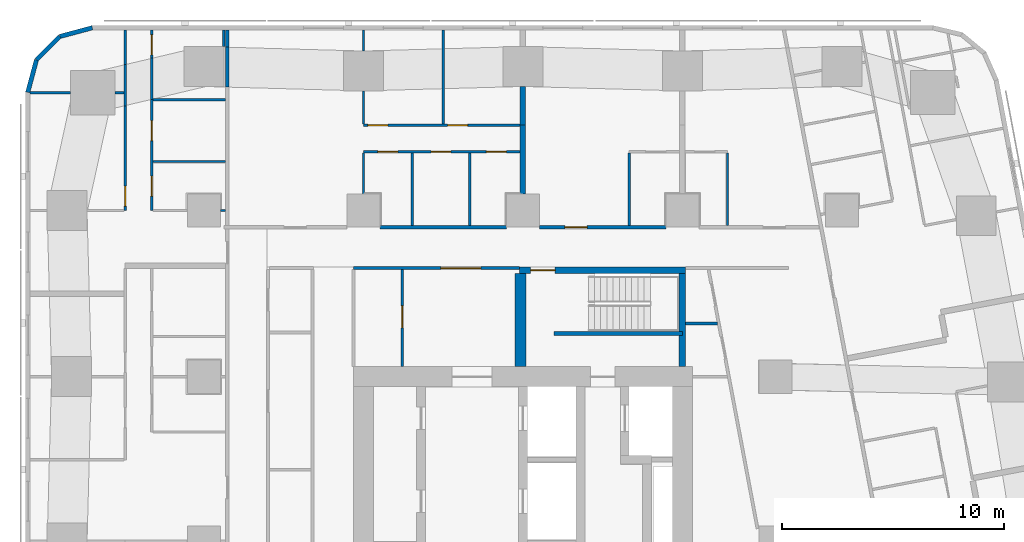
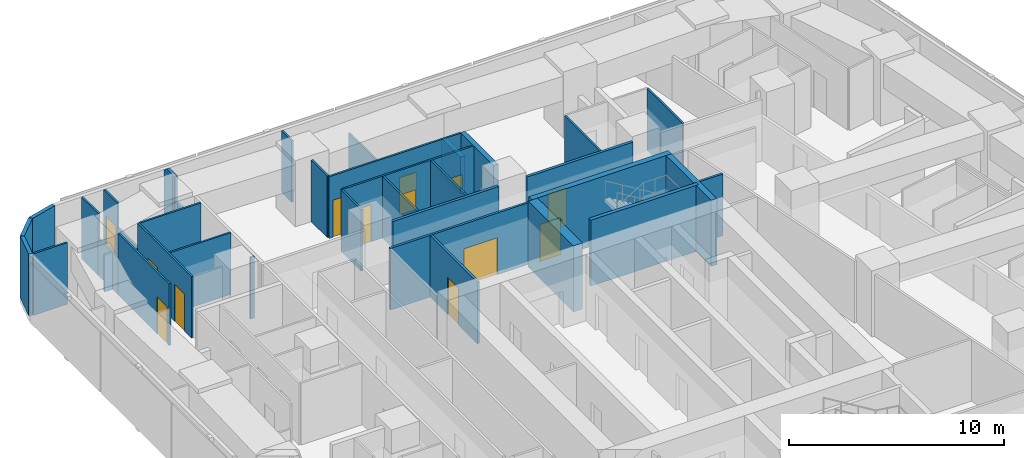
# One storey, part 9 of 15: 38 walls, 13 doors, 13 openings.
"""IFC4 building model written with IfcOpenShell, lengths in metres."""

from ifc_helpers import new_model, si_unit, direction, frame, frame_2d, origin, place, context, subcontext, project, spatial, rectangle, extrude, material, layer, layer_set, type_object, element, fill, save


model = new_model("IFC4")

# Units and contexts
model_context = context("Model", 3, precision=1e-05, world=origin(), true_north=direction((0.0, 1.0)))
body_context = subcontext(model_context, "Body", "Model", "MODEL_VIEW")
ifc_project = project(units=[si_unit("LENGTHUNIT", "METRE"), si_unit("AREAUNIT", "SQUARE_METRE"), si_unit("VOLUMEUNIT", "CUBIC_METRE"), si_unit("PLANEANGLEUNIT", "RADIAN"), si_unit("MASSUNIT", "GRAM", prefix="KILO")], contexts=[model_context])

# Site, building, storey
site_placement = place(None, origin())
site = spatial("IfcSite", under=ifc_project, at=site_placement, CompositionType="ELEMENT")
building_placement = place(site_placement, origin())
building = spatial("IfcBuilding", under=site, at=building_placement, Name="Sheger Commons Tower", CompositionType="ELEMENT")
storey_placement = place(building_placement, frame((0.0, 0.0, 177.050048828125)))
storey = spatial("IfcBuildingStorey", under=building, at=storey_placement, Name="L45", CompositionType="ELEMENT", Elevation=177.050048828125)

# Walls
ifc_material_1 = material(Name="Hollow concrete block masonry, skimmed both sides", Category="masonry")
ifc_layer_1 = layer(ifc_material_1, 0.14990234375)
ifc_layer_set_1 = layer_set([ifc_layer_1], Name="CORRIDOR WALL 150")
wall_type_1 = type_object("IfcWallType", Name="CORRIDOR WALL 150", PredefinedType="SOLIDWALL", material=ifc_layer_set_1)
wall_1_placement = place(storey_placement, frame((8.25, 43.068115234375, 0.0), z_axis=(0.0, 0.0, 1.0), x_axis=(0.0, 1.0, 0.0)))
element("IfcWall", 1, at=wall_1_placement, inside=storey, type_object=wall_type_1, Name="Corridor wall L45", PredefinedType="SOLIDWALL", context=body_context, shape_type="SweptSolid", body=[
    extrude(rectangle(XDim=1.804931640625, YDim=0.14990234375, at=frame_2d((0.90234375, 0.0))), origin(), (0.0, 0.0, 1.0), 2.099853515625),
])
wall_2_placement = place(storey_placement, frame((8.25, 44.873046875, 0.0), z_axis=(0.0, 0.0, 1.0), x_axis=(0.0, 1.0, 0.0)))
element("IfcWall", 2, at=wall_2_placement, inside=storey, type_object=wall_type_1, Name="Corridor wall L45", PredefinedType="SOLIDWALL", context=body_context, shape_type="SweptSolid", body=[
    extrude(rectangle(XDim=0.77685546875, YDim=0.14990234375, at=frame_2d((0.388427734375, 0.0))), origin(), (0.0, 0.0, 1.0), 3.5),
])
wall_3_placement = place(storey_placement, frame((15.15087890625, 36.75, 0.0), z_axis=(0.0, 0.0, 1.0), x_axis=(1.0, 0.0, 0.0)))
element("IfcWall", 3, at=wall_3_placement, inside=storey, type_object=wall_type_1, Name="Corridor wall L45", PredefinedType="SOLIDWALL", context=body_context, shape_type="SweptSolid", body=[
    extrude(rectangle(XDim=5.6982421875, YDim=0.14990234375, at=frame_2d((2.84912109375, 0.0))), origin(), (0.0, 0.0, 1.0), 3.5),
])

# Wall, opening, door
wall_4_placement = place(storey_placement, frame((22.35107421875, 36.75, 0.0), z_axis=(0.0, 0.0, 1.0), x_axis=(1.0, 0.0, 0.0)))
wall_4 = element("IfcWall", 4, at=wall_4_placement, inside=storey, type_object=wall_type_1, Name="Corridor wall L45", PredefinedType="SOLIDWALL", context=body_context, shape_type="SweptSolid", body=[
    extrude(rectangle(XDim=5.697998046875, YDim=0.14990234375, at=frame_2d((2.84912109375, 0.0))), origin(), (0.0, 0.0, 1.0), 3.5),
])
opening_1_placement = place(wall_4_placement, frame((1.14892578125, 0.0, 0.0)))
opening_1 = element("IfcOpeningElement", 5, at=opening_1_placement, cuts=wall_4, Name="Opening D1", PredefinedType="OPENING", context=body_context, shape_type="SweptSolid", body=[
    extrude(rectangle(XDim=1.0, YDim=2.10009765625, at=frame_2d((0.5, 1.050048828125))), frame((0.0, 0.0849609375, 0.0), z_axis=(0.0, -1.0, 0.0), x_axis=(1.0, 0.0, 0.0)), (0.0, 0.0, 1.0), 0.169921875),
])
ifc_material_2 = material(Name="Steel door set, fire rated", Category="steel")
door_type_1 = type_object("IfcDoorType", Name="FLAT ENTRANCE DOOR 1000x2100", OperationType="NOTDEFINED", PredefinedType="DOOR", material=ifc_material_2)
door_1_placement = place(opening_1_placement, origin())
door_1 = element("IfcDoor", 6, at=door_1_placement, inside=storey, type_object=door_type_1, Name="Flat entrance door", OperationType="SINGLE_SWING_LEFT", OverallHeight=2.10009765625, OverallWidth=1.0, PredefinedType="DOOR", context=body_context, shape_type="SweptSolid", body=[
    extrude(rectangle(XDim=1.0, YDim=2.10009765625, at=frame_2d((0.5, 1.050048828125))), frame((0.0, 0.02490234375, 0.0), z_axis=(0.0, -1.0, 0.0), x_axis=(1.0, 0.0, 0.0)), (0.0, 0.0, 1.0), 0.050048828125),
])
fill(opening_1, door_1)

# Walls
ifc_material_3 = material(Name="Dense concrete block masonry, plastered both sides (separating wall between flats)", Category="masonry")
ifc_layer_2 = layer(ifc_material_3, 0.25)
ifc_layer_set_2 = layer_set([ifc_layer_2], Name="DEMISING WALL 250")
wall_type_2 = type_object("IfcWallType", Name="DEMISING WALL 250", PredefinedType="SOLIDWALL", material=ifc_layer_set_2)
wall_5_placement = place(storey_placement, frame((21.60009765625, 41.35009765625, 0.0), z_axis=(0.0, 0.0, 1.0), x_axis=(0.0, 1.0, 0.0)))
element("IfcWall", 7, at=wall_5_placement, inside=storey, type_object=wall_type_2, Name="Demising wall L45", PredefinedType="SOLIDWALL", context=body_context, shape_type="SweptSolid", body=[
    extrude(rectangle(XDim=1.7490234375, YDim=0.25, at=frame_2d((0.87451171875, 0.0))), origin(), (0.0, 0.0, 1.0), 2.099853515625),
])
wall_6_placement = place(storey_placement, frame((21.60009765625, 38.2509765625, 0.0), z_axis=(0.0, 0.0, 1.0), x_axis=(0.0, 1.0, 0.0)))
element("IfcWall", 8, at=wall_6_placement, inside=storey, type_object=wall_type_2, Name="Demising wall L45", PredefinedType="SOLIDWALL", context=body_context, shape_type="SweptSolid", body=[
    extrude(rectangle(XDim=3.09912109375, YDim=0.25, at=frame_2d((1.549560546875, 0.0))), origin(), (0.0, 0.0, 1.0), 3.5),
])
ifc_material_4 = material(Name="Rendered concrete block masonry, dark grey", Category="masonry")
ifc_layer_3 = layer(ifc_material_4, 0.199951171875)
ifc_layer_set_3 = layer_set([ifc_layer_3], Name="FACADE WALL 200")
wall_type_3 = type_object("IfcWallType", Name="FACADE WALL 200", PredefinedType="SOLIDWALL", material=ifc_layer_set_3)
wall_7_placement = place(storey_placement, frame((2.1630859375, 45.75, 0.0), z_axis=(0.0, 0.0, 1.0), x_axis=(-0.965832000415, -0.259168954497, 0.0)))
element("IfcWall", 9, at=wall_7_placement, inside=storey, type_object=wall_type_3, Name="Facade wall L45", PredefinedType="SOLIDWALL", context=body_context, shape_type="SweptSolid", body=[
    extrude(rectangle(XDim=1.512939453125, YDim=0.199951171875, at=frame_2d((0.75634765625, 0.0))), origin(), (0.0, 0.0, 1.0), 3.5),
])
wall_8_placement = place(storey_placement, frame((0.701904296875, 45.35791015625, 0.0), z_axis=(0.0, 0.0, 1.0), x_axis=(-0.707106781187, -0.707106781187, 0.0)))
element("IfcWall", 10, at=wall_8_placement, inside=storey, type_object=wall_type_3, Name="Facade wall L45", PredefinedType="SOLIDWALL", context=body_context, shape_type="SweptSolid", body=[
    extrude(rectangle(XDim=1.498779296875, YDim=0.199951171875, at=frame_2d((0.74951171875, 0.0))), origin(), (0.0, 0.0, 1.0), 3.5),
])
wall_9_placement = place(storey_placement, frame((-0.35791015625, 44.298095703125, 0.0), z_axis=(0.0, 0.0, 1.0), x_axis=(-0.259168954497, -0.965832000415, 0.0)))
element("IfcWall", 11, at=wall_9_placement, inside=storey, type_object=wall_type_3, Name="Facade wall L45", PredefinedType="SOLIDWALL", context=body_context, shape_type="SweptSolid", body=[
    extrude(rectangle(XDim=1.512939453125, YDim=0.199951171875, at=frame_2d((0.75634765625, 0.0))), origin(), (0.0, 0.0, 1.0), 3.5),
])
ifc_material_5 = material(Name="Gypsum board on steel studs", Category="steel")
ifc_layer_4 = layer(ifc_material_5, 0.10009765625)
ifc_layer_set_4 = layer_set([ifc_layer_4], Name="PARTITION 100")
wall_type_4 = type_object("IfcWallType", Name="PARTITION 100", PredefinedType="PARTITIONING", material=ifc_layer_set_4)
wall_10_placement = place(storey_placement, frame((8.10009765625, 45.64990234375, 0.0), z_axis=(0.0, 0.0, 1.0), x_axis=(0.0, -1.0, 0.0)))
element("IfcWall", 12, at=wall_10_placement, inside=storey, type_object=wall_type_4, Name="Partition L45", PredefinedType="PARTITIONING", context=body_context, shape_type="SweptSolid", body=[
    extrude(rectangle(XDim=0.7490234375, YDim=0.10009765625, at=frame_2d((0.37451171875, 0.0))), origin(), (0.0, 0.0, 1.0), 3.5),
])

# Wall, opening, door
wall_11_placement = place(storey_placement, frame((3.64990234375, 37.5, 0.0), z_axis=(0.0, 0.0, 1.0), x_axis=(0.0, 1.0, 0.0)))
wall_11 = element("IfcWall", 13, at=wall_11_placement, inside=storey, type_object=wall_type_4, Name="Partition L45", PredefinedType="PARTITIONING", context=body_context, shape_type="SweptSolid", body=[
    extrude(rectangle(XDim=4.72412109375, YDim=0.10009765625, at=frame_2d((2.362060546875, 0.0))), origin(), (0.0, 0.0, 1.0), 3.5),
])
opening_2_placement = place(wall_11_placement, frame((0.199951171875, 0.0, 0.0)))
opening_2 = element("IfcOpeningElement", 14, at=opening_2_placement, cuts=wall_11, Name="Opening D2", PredefinedType="OPENING", context=body_context, shape_type="SweptSolid", body=[
    extrude(rectangle(XDim=0.89990234375, YDim=2.10009765625, at=frame_2d((0.449951171875, 1.050048828125))), frame((0.0, 0.06005859375, 0.0), z_axis=(0.0, -1.0, 0.0), x_axis=(1.0, 0.0, 0.0)), (0.0, 0.0, 1.0), 0.1201171875),
])
ifc_material_6 = material(Name="Timber door set", Category="wood")
door_type_2 = type_object("IfcDoorType", Name="INTERNAL DOOR 900x2100", OperationType="NOTDEFINED", PredefinedType="DOOR", material=ifc_material_6)
door_2_placement = place(opening_2_placement, origin())
door_2 = element("IfcDoor", 15, at=door_2_placement, inside=storey, type_object=door_type_2, Name="Main bedroom door", OperationType="SINGLE_SWING_LEFT", OverallHeight=2.10009765625, OverallWidth=0.89990234375, PredefinedType="DOOR", context=body_context, shape_type="SweptSolid", body=[
    extrude(rectangle(XDim=0.89990234375, YDim=2.10009765625, at=frame_2d((0.449951171875, 1.050048828125))), frame((0.0, 0.02490234375, 0.0), z_axis=(0.0, -1.0, 0.0), x_axis=(1.0, 0.0, 0.0)), (0.0, 0.0, 1.0), 0.050048828125),
])
fill(opening_2, door_2)

# Walls
wall_12_placement = place(storey_placement, frame((3.64990234375, 42.22412109375, 0.0), z_axis=(0.0, 0.0, 1.0), x_axis=(0.0, 1.0, 0.0)))
element("IfcWall", 16, at=wall_12_placement, inside=storey, type_object=wall_type_4, Name="Partition L45", PredefinedType="PARTITIONING", context=body_context, shape_type="SweptSolid", body=[
    extrude(rectangle(XDim=1.872802734375, YDim=0.10009765625, at=frame_2d((0.9365234375, 0.0))), origin(), (0.0, 0.0, 1.0), 2.099853515625),
])
wall_13_placement = place(storey_placement, frame((3.64990234375, 44.096923828125, 0.0), z_axis=(0.0, 0.0, 1.0), x_axis=(0.0, 1.0, 0.0)))
element("IfcWall", 17, at=wall_13_placement, inside=storey, type_object=wall_type_4, Name="Partition L45", PredefinedType="PARTITIONING", context=body_context, shape_type="SweptSolid", body=[
    extrude(rectangle(XDim=1.552978515625, YDim=0.10009765625, at=frame_2d((0.7763671875, 0.0))), origin(), (0.0, 0.0, 1.0), 3.5),
])

# Wall, openings, doors
wall_14_placement = place(storey_placement, frame((4.85009765625, 37.5, 0.0), z_axis=(0.0, 0.0, 1.0), x_axis=(0.0, 1.0, 0.0)))
wall_14 = element("IfcWall", 18, at=wall_14_placement, inside=storey, type_object=wall_type_4, Name="Partition L45", PredefinedType="PARTITIONING", context=body_context, shape_type="SweptSolid", body=[
    extrude(rectangle(XDim=5.007080078125, YDim=0.10009765625, at=frame_2d((2.50341796875, 0.0))), origin(), (0.0, 0.0, 1.0), 3.5),
])
opening_3_placement = place(wall_14_placement, frame((0.655029296875, 0.0, 0.0)))
opening_3 = element("IfcOpeningElement", 19, at=opening_3_placement, cuts=wall_14, Name="Opening D2", PredefinedType="OPENING", context=body_context, shape_type="SweptSolid", body=[
    extrude(rectangle(XDim=0.89990234375, YDim=2.10009765625, at=frame_2d((0.449951171875, 1.050048828125))), frame((0.0, 0.06005859375, 0.0), z_axis=(0.0, -1.0, 0.0), x_axis=(1.0, 0.0, 0.0)), (0.0, 0.0, 1.0), 0.1201171875),
])
opening_4_placement = place(wall_14_placement, frame((3.155029296875, 0.0, 0.0)))
opening_4 = element("IfcOpeningElement", 20, at=opening_4_placement, cuts=wall_14, Name="Opening D2", PredefinedType="OPENING", context=body_context, shape_type="SweptSolid", body=[
    extrude(rectangle(XDim=0.89990234375, YDim=2.10009765625, at=frame_2d((0.449951171875, 1.050048828125))), frame((0.0, 0.06005859375, 0.0), z_axis=(0.0, -1.0, 0.0), x_axis=(1.0, 0.0, 0.0)), (0.0, 0.0, 1.0), 0.1201171875),
])
door_3_placement = place(opening_3_placement, origin())
door_3 = element("IfcDoor", 21, at=door_3_placement, inside=storey, type_object=door_type_2, Name="Bathroom door", OperationType="SINGLE_SWING_RIGHT", OverallHeight=2.10009765625, OverallWidth=0.89990234375, PredefinedType="DOOR", context=body_context, shape_type="SweptSolid", body=[
    extrude(rectangle(XDim=0.89990234375, YDim=2.10009765625, at=frame_2d((0.449951171875, 1.050048828125))), frame((0.0, 0.02490234375, 0.0), z_axis=(0.0, -1.0, 0.0), x_axis=(1.0, 0.0, 0.0)), (0.0, 0.0, 1.0), 0.050048828125),
])
fill(opening_3, door_3)
door_4_placement = place(opening_4_placement, origin())
door_4 = element("IfcDoor", 22, at=door_4_placement, inside=storey, type_object=door_type_2, Name="Store door", OperationType="SINGLE_SWING_LEFT", OverallHeight=2.10009765625, OverallWidth=0.89990234375, PredefinedType="DOOR", context=body_context, shape_type="SweptSolid", body=[
    extrude(rectangle(XDim=0.89990234375, YDim=2.10009765625, at=frame_2d((0.449951171875, 1.050048828125))), frame((0.0, 0.02490234375, 0.0), z_axis=(0.0, -1.0, 0.0), x_axis=(1.0, 0.0, 0.0)), (0.0, 0.0, 1.0), 0.050048828125),
])
fill(opening_4, door_4)

# Wall
wall_15_placement = place(storey_placement, frame((4.85009765625, 42.507080078125, 0.0), z_axis=(0.0, 0.0, 1.0), x_axis=(0.0, 1.0, 0.0)))
element("IfcWall", 23, at=wall_15_placement, inside=storey, type_object=wall_type_4, Name="Partition L45", PredefinedType="PARTITIONING", context=body_context, shape_type="SweptSolid", body=[
    extrude(rectangle(XDim=1.8740234375, YDim=0.10009765625, at=frame_2d((0.93701171875, 0.0))), origin(), (0.0, 0.0, 1.0), 2.099853515625),
])

# Wall, opening, door
wall_16_placement = place(storey_placement, frame((4.85009765625, 44.381103515625, 0.0), z_axis=(0.0, 0.0, 1.0), x_axis=(0.0, 1.0, 0.0)))
wall_16 = element("IfcWall", 24, at=wall_16_placement, inside=storey, type_object=wall_type_4, Name="Partition L45", PredefinedType="PARTITIONING", context=body_context, shape_type="SweptSolid", body=[
    extrude(rectangle(XDim=1.268798828125, YDim=0.10009765625, at=frame_2d((0.63427734375, 0.0))), origin(), (0.0, 0.0, 1.0), 3.5),
])
opening_5_placement = place(wall_16_placement, frame((0.14990234375, 0.0, 0.0)))
opening_5 = element("IfcOpeningElement", 25, at=opening_5_placement, cuts=wall_16, Name="Opening D2", PredefinedType="OPENING", context=body_context, shape_type="SweptSolid", body=[
    extrude(rectangle(XDim=0.89990234375, YDim=2.10009765625, at=frame_2d((0.449951171875, 1.050048828125))), frame((0.0, 0.06005859375, 0.0), z_axis=(0.0, -1.0, 0.0), x_axis=(1.0, 0.0, 0.0)), (0.0, 0.0, 1.0), 0.1201171875),
])
door_5_placement = place(opening_5_placement, origin())
door_5 = element("IfcDoor", 26, at=door_5_placement, inside=storey, type_object=door_type_2, Name="Laundry room door", OperationType="SINGLE_SWING_RIGHT", OverallHeight=2.10009765625, OverallWidth=0.89990234375, PredefinedType="DOOR", context=body_context, shape_type="SweptSolid", body=[
    extrude(rectangle(XDim=0.89990234375, YDim=2.10009765625, at=frame_2d((0.449951171875, 1.050048828125))), frame((0.0, 0.02490234375, 0.0), z_axis=(0.0, -1.0, 0.0), x_axis=(1.0, 0.0, 0.0)), (0.0, 0.0, 1.0), 0.050048828125),
])
fill(opening_5, door_5)

# Walls
wall_17_placement = place(storey_placement, frame((-0.64990234375, 42.81396484375, 0.0), z_axis=(0.0, 0.0, 1.0), x_axis=(1.0, 0.0, 0.0)))
element("IfcWall", 27, at=wall_17_placement, inside=storey, type_object=wall_type_4, Name="Partition L45", PredefinedType="PARTITIONING", context=body_context, shape_type="SweptSolid", body=[
    extrude(rectangle(XDim=1.8349609375, YDim=0.10009765625, at=frame_2d((0.91748046875, 0.0))), origin(), (0.0, 0.0, 1.0), 3.5),
])
wall_18_placement = place(storey_placement, frame((3.18701171875, 42.81396484375, 0.0), z_axis=(0.0, 0.0, 1.0), x_axis=(1.0, 0.0, 0.0)))
element("IfcWall", 28, at=wall_18_placement, inside=storey, type_object=wall_type_4, Name="Partition L45", PredefinedType="PARTITIONING", context=body_context, shape_type="SweptSolid", body=[
    extrude(rectangle(XDim=0.4130859375, YDim=0.10009765625, at=frame_2d((0.20654296875, 0.0))), origin(), (0.0, 0.0, 1.0), 2.099853515625),
])
wall_19_placement = place(storey_placement, frame((7.950927734375, 37.5, 0.0), z_axis=(0.0, 0.0, 1.0), x_axis=(1.0, 0.0, 0.0)))
element("IfcWall", 29, at=wall_19_placement, inside=storey, type_object=wall_type_4, Name="Partition L45", PredefinedType="PARTITIONING", context=body_context, shape_type="SweptSolid", body=[
    extrude(rectangle(XDim=0.22412109375, YDim=0.10009765625, at=frame_2d((0.112060546875, 0.0))), origin(), (0.0, 0.0, 1.0), 3.5),
])
for number, where, z_axis, x_axis, name in (
    (30, (4.89990234375, 42.4990234375, 0.0), (0.0, 0.0, 1.0), (1.0, 0.0, 0.0), "Partition L45"),
    (31, (4.89990234375, 39.7099609375, 0.0), (0.0, 0.0, 1.0), (1.0, 0.0, 0.0), "Partition L45"),
):
    element("IfcWall", number, at=place(storey_placement, frame(where, z_axis=z_axis, x_axis=x_axis)), inside=storey, type_object=wall_type_4, Name=name, PredefinedType="PARTITIONING", context=body_context, shape_type="SweptSolid", body=[
        extrude(rectangle(XDim=3.275146484375, YDim=0.10009765625, at=frame_2d((1.6376953125, 0.0))), origin(), (0.0, 0.0, 1.0), 3.5),
    ])

# Wall, openings, doors
wall_20_placement = place(storey_placement, frame((14.39990234375, 41.35009765625, 0.0), z_axis=(0.0, 0.0, 1.0), x_axis=(1.0, 0.0, 0.0)))
wall_20 = element("IfcWall", 32, at=wall_20_placement, inside=storey, type_object=wall_type_4, Name="Partition L45", PredefinedType="PARTITIONING", context=body_context, shape_type="SweptSolid", body=[
    extrude(rectangle(XDim=7.0751953125, YDim=0.10009765625, at=frame_2d((3.53759765625, 0.0))), origin(), (0.0, 0.0, 1.0), 3.5),
])
opening_6_placement = place(wall_20_placement, frame((0.199951171875, 0.0, 0.0)))
opening_6 = element("IfcOpeningElement", 33, at=opening_6_placement, cuts=wall_20, Name="Opening D2", PredefinedType="OPENING", context=body_context, shape_type="SweptSolid", body=[
    extrude(rectangle(XDim=0.89990234375, YDim=2.10009765625, at=frame_2d((0.449951171875, 1.050048828125))), frame((0.0, 0.06005859375, 0.0), z_axis=(0.0, -1.0, 0.0), x_axis=(1.0, 0.0, 0.0)), (0.0, 0.0, 1.0), 0.1201171875),
])
opening_7_placement = place(wall_20_placement, frame((3.800048828125, 0.0, 0.0)))
opening_7 = element("IfcOpeningElement", 34, at=opening_7_placement, cuts=wall_20, Name="Opening D2", PredefinedType="OPENING", context=body_context, shape_type="SweptSolid", body=[
    extrude(rectangle(XDim=0.89990234375, YDim=2.10009765625, at=frame_2d((0.449951171875, 1.050048828125))), frame((0.0, 0.06005859375, 0.0), z_axis=(0.0, -1.0, 0.0), x_axis=(1.0, 0.0, 0.0)), (0.0, 0.0, 1.0), 0.1201171875),
])
door_6_placement = place(opening_6_placement, origin())
door_6 = element("IfcDoor", 35, at=door_6_placement, inside=storey, type_object=door_type_2, Name="Main bedroom door", OperationType="SINGLE_SWING_LEFT", OverallHeight=2.10009765625, OverallWidth=0.89990234375, PredefinedType="DOOR", context=body_context, shape_type="SweptSolid", body=[
    extrude(rectangle(XDim=0.89990234375, YDim=2.10009765625, at=frame_2d((0.449951171875, 1.050048828125))), frame((0.0, 0.02490234375, 0.0), z_axis=(0.0, -1.0, 0.0), x_axis=(1.0, 0.0, 0.0)), (0.0, 0.0, 1.0), 0.050048828125),
])
fill(opening_6, door_6)
door_7_placement = place(opening_7_placement, origin())
door_7 = element("IfcDoor", 36, at=door_7_placement, inside=storey, type_object=door_type_2, Name="Bedroom 2 door", OperationType="SINGLE_SWING_LEFT", OverallHeight=2.10009765625, OverallWidth=0.89990234375, PredefinedType="DOOR", context=body_context, shape_type="SweptSolid", body=[
    extrude(rectangle(XDim=0.89990234375, YDim=2.10009765625, at=frame_2d((0.449951171875, 1.050048828125))), frame((0.0, 0.02490234375, 0.0), z_axis=(0.0, -1.0, 0.0), x_axis=(1.0, 0.0, 0.0)), (0.0, 0.0, 1.0), 0.050048828125),
])
fill(opening_7, door_7)

wall_21_placement = place(storey_placement, frame((14.39990234375, 40.14990234375, 0.0), z_axis=(0.0, 0.0, 1.0), x_axis=(1.0, 0.0, 0.0)))
wall_21 = element("IfcWall", 37, at=wall_21_placement, inside=storey, type_object=wall_type_4, Name="Partition L45", PredefinedType="PARTITIONING", context=body_context, shape_type="SweptSolid", body=[
    extrude(rectangle(XDim=7.0751953125, YDim=0.10009765625, at=frame_2d((3.53759765625, 0.0))), origin(), (0.0, 0.0, 1.0), 3.5),
])
opening_8_placement = place(wall_21_placement, frame((0.655029296875, 0.0, 0.0)))
opening_8 = element("IfcOpeningElement", 38, at=opening_8_placement, cuts=wall_21, Name="Opening D2", PredefinedType="OPENING", context=body_context, shape_type="SweptSolid", body=[
    extrude(rectangle(XDim=0.89990234375, YDim=2.10009765625, at=frame_2d((0.449951171875, 1.050048828125))), frame((0.0, 0.06005859375, 0.0), z_axis=(0.0, -1.0, 0.0), x_axis=(1.0, 0.0, 0.0)), (0.0, 0.0, 1.0), 0.1201171875),
])
opening_9_placement = place(wall_21_placement, frame((5.550048828125, 0.0, 0.0)))
opening_9 = element("IfcOpeningElement", 39, at=opening_9_placement, cuts=wall_21, Name="Opening D2", PredefinedType="OPENING", context=body_context, shape_type="SweptSolid", body=[
    extrude(rectangle(XDim=0.89990234375, YDim=2.10009765625, at=frame_2d((0.449951171875, 1.050048828125))), frame((0.0, 0.06005859375, 0.0), z_axis=(0.0, -1.0, 0.0), x_axis=(1.0, 0.0, 0.0)), (0.0, 0.0, 1.0), 0.1201171875),
])
opening_10_placement = place(wall_21_placement, frame((3.053955078125, 0.0, 0.0)))
opening_10 = element("IfcOpeningElement", 40, at=opening_10_placement, cuts=wall_21, Name="Opening D2", PredefinedType="OPENING", context=body_context, shape_type="SweptSolid", body=[
    extrude(rectangle(XDim=0.89990234375, YDim=2.10009765625, at=frame_2d((0.449951171875, 1.050048828125))), frame((0.0, 0.06005859375, 0.0), z_axis=(0.0, -1.0, 0.0), x_axis=(1.0, 0.0, 0.0)), (0.0, 0.0, 1.0), 0.1201171875),
])
door_8_placement = place(opening_8_placement, origin())
door_8 = element("IfcDoor", 41, at=door_8_placement, inside=storey, type_object=door_type_2, Name="Bathroom door", OperationType="SINGLE_SWING_RIGHT", OverallHeight=2.10009765625, OverallWidth=0.89990234375, PredefinedType="DOOR", context=body_context, shape_type="SweptSolid", body=[
    extrude(rectangle(XDim=0.89990234375, YDim=2.10009765625, at=frame_2d((0.449951171875, 1.050048828125))), frame((0.0, 0.02490234375, 0.0), z_axis=(0.0, -1.0, 0.0), x_axis=(1.0, 0.0, 0.0)), (0.0, 0.0, 1.0), 0.050048828125),
])
fill(opening_8, door_8)
door_9_placement = place(opening_9_placement, origin())
door_9 = element("IfcDoor", 42, at=door_9_placement, inside=storey, type_object=door_type_2, Name="Laundry room door", OperationType="SINGLE_SWING_LEFT", OverallHeight=2.10009765625, OverallWidth=0.89990234375, PredefinedType="DOOR", context=body_context, shape_type="SweptSolid", body=[
    extrude(rectangle(XDim=0.89990234375, YDim=2.10009765625, at=frame_2d((0.449951171875, 1.050048828125))), frame((0.0, 0.02490234375, 0.0), z_axis=(0.0, -1.0, 0.0), x_axis=(1.0, 0.0, 0.0)), (0.0, 0.0, 1.0), 0.050048828125),
])
fill(opening_9, door_9)
door_10_placement = place(opening_10_placement, origin())
door_10 = element("IfcDoor", 43, at=door_10_placement, inside=storey, type_object=door_type_2, Name="Store door", OperationType="SINGLE_SWING_LEFT", OverallHeight=2.10009765625, OverallWidth=0.89990234375, PredefinedType="DOOR", context=body_context, shape_type="SweptSolid", body=[
    extrude(rectangle(XDim=0.89990234375, YDim=2.10009765625, at=frame_2d((0.449951171875, 1.050048828125))), frame((0.0, 0.02490234375, 0.0), z_axis=(0.0, -1.0, 0.0), x_axis=(1.0, 0.0, 0.0)), (0.0, 0.0, 1.0), 0.050048828125),
])
fill(opening_10, door_10)

# Walls
wall_22_placement = place(storey_placement, frame((14.39990234375, 41.39990234375, 0.0), z_axis=(0.0, 0.0, 1.0), x_axis=(0.0, 1.0, 0.0)))
element("IfcWall", 44, at=wall_22_placement, inside=storey, type_object=wall_type_4, Name="Partition L45", PredefinedType="PARTITIONING", context=body_context, shape_type="SweptSolid", body=[
    extrude(rectangle(XDim=1.4990234375, YDim=0.10009765625, at=frame_2d((0.74951171875, 0.0))), origin(), (0.0, 0.0, 1.0), 3.5),
])
wall_23_placement = place(storey_placement, frame((14.39990234375, 44.700927734375, 0.0), z_axis=(0.0, 0.0, 1.0), x_axis=(0.0, 1.0, 0.0)))
element("IfcWall", 45, at=wall_23_placement, inside=storey, type_object=wall_type_4, Name="Partition L45", PredefinedType="PARTITIONING", context=body_context, shape_type="SweptSolid", body=[
    extrude(rectangle(XDim=0.948974609375, YDim=0.10009765625, at=frame_2d((0.474609375, 0.0))), origin(), (0.0, 0.0, 1.0), 3.5),
])
wall_24_placement = place(storey_placement, frame((18.0, 41.39990234375, 0.0), z_axis=(0.0, 0.0, 1.0), x_axis=(0.0, 1.0, 0.0)))
element("IfcWall", 46, at=wall_24_placement, inside=storey, type_object=wall_type_4, Name="Partition L45", PredefinedType="PARTITIONING", context=body_context, shape_type="SweptSolid", body=[
    extrude(rectangle(XDim=4.25, YDim=0.10009765625, at=frame_2d((2.125, 0.0))), origin(), (0.0, 0.0, 1.0), 2.099853515625),
])
wall_25_placement = place(storey_placement, frame((14.39990234375, 38.2509765625, 0.0), z_axis=(0.0, 0.0, 1.0), x_axis=(0.0, 1.0, 0.0)))
element("IfcWall", 47, at=wall_25_placement, inside=storey, type_object=wall_type_4, Name="Partition L45", PredefinedType="PARTITIONING", context=body_context, shape_type="SweptSolid", body=[
    extrude(rectangle(XDim=1.84912109375, YDim=0.10009765625, at=frame_2d((0.924560546875, 0.0))), origin(), (0.0, 0.0, 1.0), 3.5),
])
for number, where, z_axis, x_axis, name in (
    (48, (19.198974609375, 36.824951171875, 0.0), (0.0, 0.0, 1.0), (0.0, 1.0, 0.0), "Partition L45"),
    (49, (16.610107421875, 36.824951171875, 0.0), (0.0, 0.0, 1.0), (0.0, 1.0, 0.0), "Partition L45"),
    (50, (26.39892578125, 36.824951171875, 0.0), (0.0, 0.0, 1.0), (0.0, 1.0, 0.0), "Partition L45"),
    (51, (30.8291015625, 36.824951171875, 0.0), (0.0, 0.0, 1.0), (0.0, 1.0, 0.0), "Partition L45"),
):
    element("IfcWall", number, at=place(storey_placement, frame(where, z_axis=z_axis, x_axis=x_axis)), inside=storey, type_object=wall_type_4, Name=name, PredefinedType="PARTITIONING", context=body_context, shape_type="SweptSolid", body=[
        extrude(rectangle(XDim=3.275146484375, YDim=0.10009765625, at=frame_2d((1.6376953125, 0.0))), origin(), (0.0, 0.0, 1.0), 3.5),
    ])

# Wall, opening, door
ifc_material_7 = material(Name="Gypsum board on steel studs, two layers each side, fire rated", Category="steel")
ifc_layer_5 = layer(ifc_material_7, 0.125)
ifc_layer_set_5 = layer_set([ifc_layer_5], Name="SERVICE WALL 125")
wall_type_5 = type_object("IfcWallType", Name="SERVICE WALL 125", PredefinedType="PARTITIONING", material=ifc_layer_set_5)
wall_26_placement = place(storey_placement, frame((13.949951171875, 34.89990234375, 0.0), z_axis=(0.0, 0.0, 1.0), x_axis=(1.0, 0.0, 0.0)))
wall_26 = element("IfcWall", 52, at=wall_26_placement, inside=storey, type_object=wall_type_5, Name="Service room wall L45", PredefinedType="PARTITIONING", context=body_context, shape_type="SweptSolid", body=[
    extrude(rectangle(XDim=7.5, YDim=0.125, at=frame_2d((3.75, 0.0))), origin(), (0.0, 0.0, 1.0), 3.5),
])
opening_11_placement = place(wall_26_placement, frame((3.949951171875, 0.0, 0.0)))
opening_11 = element("IfcOpeningElement", 53, at=opening_11_placement, cuts=wall_26, Name="Opening D6", PredefinedType="OPENING", context=body_context, shape_type="SweptSolid", body=[
    extrude(rectangle(XDim=1.800048828125, YDim=2.10009765625, at=frame_2d((0.89990234375, 1.050048828125))), frame((0.0, 0.072509765625, 0.0), z_axis=(0.0, -1.0, 0.0), x_axis=(1.0, 0.0, 0.0)), (0.0, 0.0, 1.0), 0.14501953125),
])
ifc_material_8 = material(Name="Steel door set, fire rated", Category="steel")
door_type_3 = type_object("IfcDoorType", Name="LOBBY DOUBLE DOOR 1800x2100", OperationType="DOUBLE_DOOR_SINGLE_SWING", PredefinedType="DOOR", material=ifc_material_8)
door_11_placement = place(opening_11_placement, origin())
door_11 = element("IfcDoor", 54, at=door_11_placement, inside=storey, type_object=door_type_3, Name="Lift lobby north door", OperationType="DOUBLE_DOOR_SINGLE_SWING", OverallHeight=2.10009765625, OverallWidth=1.800048828125, PredefinedType="DOOR", context=body_context, shape_type="SweptSolid", body=[
    extrude(rectangle(XDim=1.800048828125, YDim=2.10009765625, at=frame_2d((0.89990234375, 1.050048828125))), frame((0.0, 0.02490234375, 0.0), z_axis=(0.0, -1.0, 0.0), x_axis=(1.0, 0.0, 0.0)), (0.0, 0.0, 1.0), 0.050048828125),
])
fill(opening_11, door_11)

wall_27_placement = place(storey_placement, frame((16.14990234375, 30.449951171875, 0.0), z_axis=(0.0, 0.0, 1.0), x_axis=(0.0, 1.0, 0.0)))
wall_27 = element("IfcWall", 55, at=wall_27_placement, inside=storey, type_object=wall_type_5, Name="Service room wall L45", PredefinedType="PARTITIONING", context=body_context, shape_type="SweptSolid", body=[
    extrude(rectangle(XDim=4.386962890625, YDim=0.125, at=frame_2d((2.193359375, 0.0))), origin(), (0.0, 0.0, 1.0), 3.5),
])
opening_12_placement = place(wall_27_placement, frame((1.75, 0.0, 0.0)))
opening_12 = element("IfcOpeningElement", 56, at=opening_12_placement, cuts=wall_27, Name="Opening D4", PredefinedType="OPENING", context=body_context, shape_type="SweptSolid", body=[
    extrude(rectangle(XDim=1.0, YDim=2.10009765625, at=frame_2d((0.5, 1.050048828125))), frame((0.0, 0.072509765625, 0.0), z_axis=(0.0, -1.0, 0.0), x_axis=(1.0, 0.0, 0.0)), (0.0, 0.0, 1.0), 0.14501953125),
])
ifc_material_9 = material(Name="Steel door set, fire rated", Category="steel")
door_type_4 = type_object("IfcDoorType", Name="SERVICE DOOR 1000x2100", OperationType="NOTDEFINED", PredefinedType="DOOR", material=ifc_material_9)
door_12_placement = place(opening_12_placement, origin())
door_12 = element("IfcDoor", 57, at=door_12_placement, inside=storey, type_object=door_type_4, Name="Telecom room door", OperationType="SINGLE_SWING_RIGHT", OverallHeight=2.10009765625, OverallWidth=1.0, PredefinedType="DOOR", context=body_context, shape_type="SweptSolid", body=[
    extrude(rectangle(XDim=1.0, YDim=2.10009765625, at=frame_2d((0.5, 1.050048828125))), frame((0.0, 0.02490234375, 0.0), z_axis=(0.0, -1.0, 0.0), x_axis=(1.0, 0.0, 0.0)), (0.0, 0.0, 1.0), 0.050048828125),
])
fill(opening_12, door_12)

# Wall
wall_28_placement = place(storey_placement, frame((28.949951171875, 32.39990234375, 0.0), z_axis=(0.0, 0.0, 1.0), x_axis=(1.0, 0.0, 0.0)))
element("IfcWall", 58, at=wall_28_placement, inside=storey, type_object=wall_type_5, Name="Service room wall L45", PredefinedType="PARTITIONING", context=body_context, shape_type="SweptSolid", body=[
    extrude(rectangle(XDim=1.426025390625, YDim=0.125, at=frame_2d((0.712890625, 0.0))), origin(), (0.0, 0.0, 1.0), 3.5),
])

# Wall, opening, door
ifc_material_10 = material(Name="Concrete C50/60", Category="concrete")
ifc_layer_6 = layer(ifc_material_10, 0.300048828125)
ifc_layer_set_6 = layer_set([ifc_layer_6], Name="STAIR CORE WALL 300")
wall_type_6 = type_object("IfcWallType", Name="STAIR CORE WALL 300", PredefinedType="SHEAR", material=ifc_layer_set_6)
wall_29_placement = place(storey_placement, frame((21.449951171875, 34.800048828125, 0.0), z_axis=(0.0, 0.0, 1.0), x_axis=(1.0, 0.0, 0.0)))
wall_29 = element("IfcWall", 59, at=wall_29_placement, inside=storey, type_object=wall_type_6, Name="STW-L45-S2N", PredefinedType="SHEAR", context=body_context, shape_type="SweptSolid", body=[
    extrude(rectangle(XDim=7.5, YDim=0.300048828125, at=frame_2d((3.75, 0.0))), origin(), (0.0, 0.0, 1.0), 3.75),
])
opening_13_placement = place(wall_29_placement, frame((0.5, 0.0, 0.0)))
opening_13 = element("IfcOpeningElement", 60, at=opening_13_placement, cuts=wall_29, Name="Opening D5", PredefinedType="OPENING", context=body_context, shape_type="SweptSolid", body=[
    extrude(rectangle(XDim=1.10009765625, YDim=2.10009765625, at=frame_2d((0.550048828125, 1.050048828125))), frame((0.0, 0.159912109375, 0.0), z_axis=(0.0, -1.0, 0.0), x_axis=(1.0, 0.0, 0.0)), (0.0, 0.0, 1.0), 0.320068359375),
])
ifc_material_11 = material(Name="Steel door set, fire rated", Category="steel")
door_type_5 = type_object("IfcDoorType", Name="STAIR DOOR 1100x2100", OperationType="NOTDEFINED", PredefinedType="DOOR", material=ifc_material_11)
door_13_placement = place(opening_13_placement, origin())
door_13 = element("IfcDoor", 61, at=door_13_placement, inside=storey, type_object=door_type_5, Name="Stair S2 door", OperationType="SINGLE_SWING_RIGHT", OverallHeight=2.10009765625, OverallWidth=1.10009765625, PredefinedType="DOOR", context=body_context, shape_type="SweptSolid", body=[
    extrude(rectangle(XDim=1.10009765625, YDim=2.10009765625, at=frame_2d((0.550048828125, 1.050048828125))), frame((0.0, 0.02490234375, 0.0), z_axis=(0.0, -1.0, 0.0), x_axis=(1.0, 0.0, 0.0)), (0.0, 0.0, 1.0), 0.050048828125),
])
fill(opening_13, door_13)

# Walls
wall_30_placement = place(storey_placement, frame((28.800048828125, 30.449951171875, 0.0), z_axis=(0.0, 0.0, 1.0), x_axis=(0.0, 1.0, 0.0)))
element("IfcWall", 62, at=wall_30_placement, inside=storey, type_object=wall_type_6, Name="STW-L45-S2E", PredefinedType="SHEAR", context=body_context, shape_type="SweptSolid", body=[
    extrude(rectangle(XDim=4.199951171875, YDim=0.300048828125, at=frame_2d((2.10009765625, 0.0))), origin(), (0.0, 0.0, 1.0), 3.75),
])
ifc_material_12 = material(Name="Concrete C50/60", Category="concrete")
ifc_layer_7 = layer(ifc_material_12, 0.5)
ifc_layer_set_7 = layer_set([ifc_layer_7], Name="STAIR CORE WALL 500")
wall_type_7 = type_object("IfcWallType", Name="STAIR CORE WALL 500", PredefinedType="SHEAR", material=ifc_layer_set_7)
wall_31_placement = place(storey_placement, frame((21.5, 30.449951171875, 0.0), z_axis=(0.0, 0.0, 1.0), x_axis=(0.0, 1.0, 0.0)))
element("IfcWall", 63, at=wall_31_placement, inside=storey, type_object=wall_type_7, Name="STW-L45-S2W", PredefinedType="SHEAR", context=body_context, shape_type="SweptSolid", body=[
    extrude(rectangle(XDim=4.199951171875, YDim=0.5, at=frame_2d((2.10009765625, 0.0))), origin(), (0.0, 0.0, 1.0), 3.75),
])
ifc_material_13 = material(Name="Concrete C50/60", Category="concrete")
ifc_layer_8 = layer(ifc_material_13, 0.199951171875)
ifc_layer_set_8 = layer_set([ifc_layer_8], Name="STAIR SPINE WALL 200")
wall_type_8 = type_object("IfcWallType", Name="STAIR SPINE WALL 200", PredefinedType="SHEAR", material=ifc_layer_set_8)
wall_32_placement = place(storey_placement, frame((23.0, 31.949951171875, 0.0), z_axis=(0.0, 0.0, 1.0), x_axis=(1.0, 0.0, 0.0)))
element("IfcWall", 64, at=wall_32_placement, inside=storey, type_object=wall_type_8, Name="Stair spine wall L45", PredefinedType="SHEAR", context=body_context, shape_type="SweptSolid", body=[
    extrude(rectangle(XDim=5.800048828125, YDim=0.199951171875, at=frame_2d((2.89990234375, 0.0))), origin(), (0.0, 0.0, 1.0), 3.75),
])

save(model, "model.ifc")
